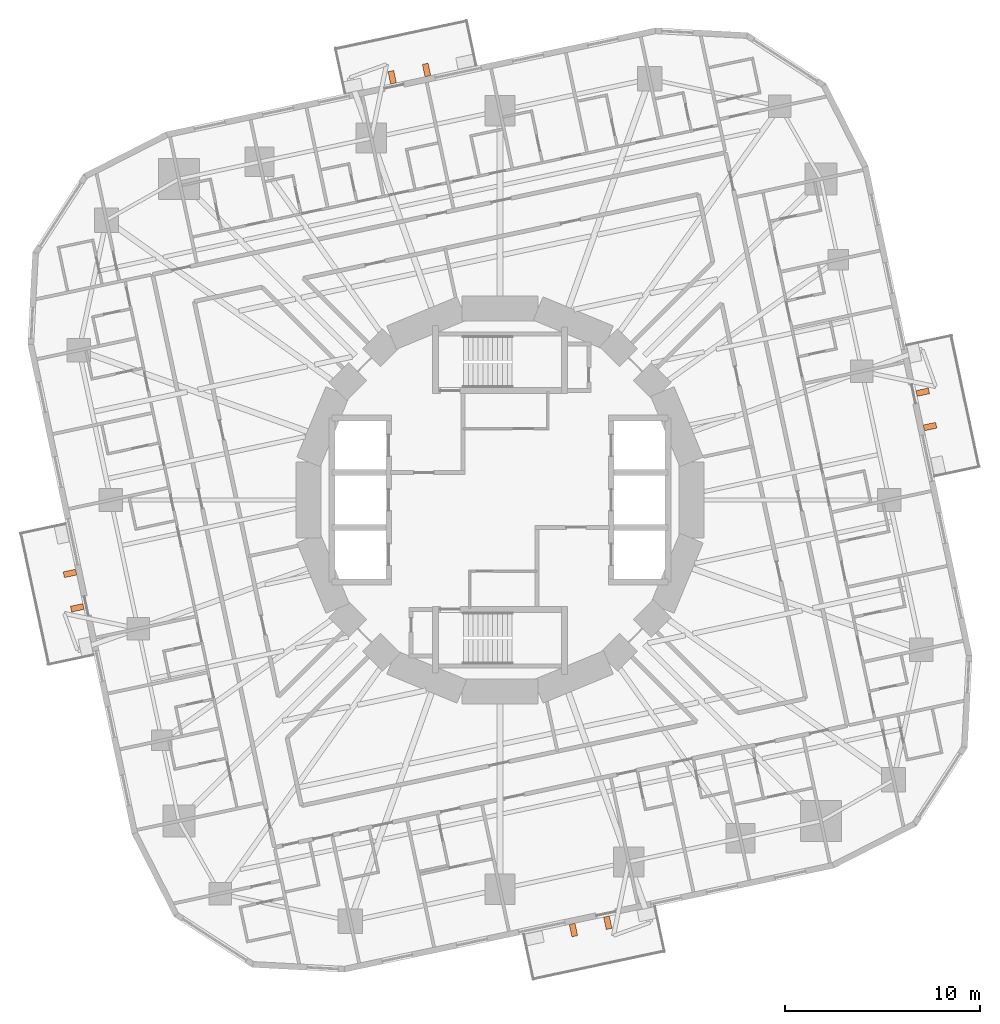
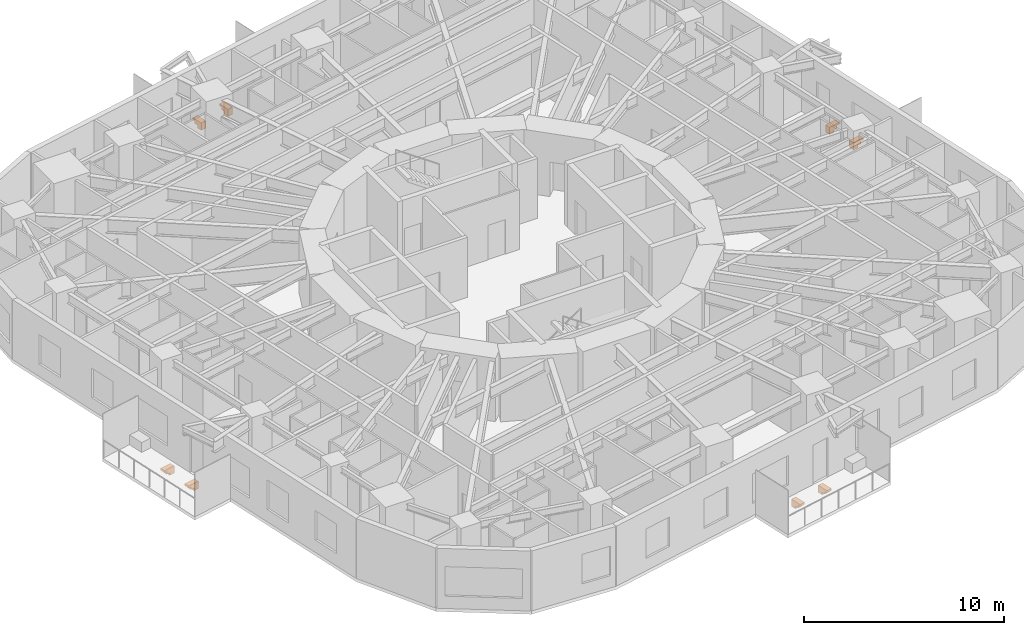
# One storey, part 14 of 14: 8 proxies.
"""IFC4 building model written with IfcOpenShell, lengths in metres."""

from ifc_helpers import new_model, si_unit, direction, frame, origin, place, context, subcontext, project, spatial, polyline, outline, extrude, material, type_object, element, save


model = new_model("IFC4")

# Units and contexts
model_context = context("Model", 3, precision=1e-05, world=origin(), true_north=direction((0.0, 1.0)))
body_context = subcontext(model_context, "Body", "Model", "MODEL_VIEW")
ifc_project = project(units=[si_unit("LENGTHUNIT", "METRE"), si_unit("AREAUNIT", "SQUARE_METRE"), si_unit("VOLUMEUNIT", "CUBIC_METRE"), si_unit("PLANEANGLEUNIT", "RADIAN"), si_unit("MASSUNIT", "GRAM", prefix="KILO")], contexts=[model_context])

# Site, building, storey
site_placement = place(None, origin())
site = spatial("IfcSite", under=ifc_project, at=site_placement, CompositionType="ELEMENT")
building_placement = place(site_placement, origin())
building = spatial("IfcBuilding", under=site, at=building_placement, Name="Nakasero Lantern House", CompositionType="ELEMENT")
storey_placement = place(building_placement, frame((0.0, 0.0, 112.699951171875)))
storey = spatial("IfcBuildingStorey", under=building, at=storey_placement, Name="L27", CompositionType="ELEMENT", Elevation=112.699951171875)

# Proxies
ifc_material = material(Name="Concrete C40/50 precast", Category="concrete")
building_element_proxy_type = type_object("IfcBuildingElementProxyType", Name="Balcony bracket 300", PredefinedType="USERDEFINED", material=ifc_material)
for number, where, z_axis, x_axis, name in (
    (1, (21.706298828125, 3.693603515625, -0.199951171875), (0.0, 0.0, 1.0), (0.978147601, 0.207911691, 0.0), "Balcony bracket L27 0A"),
    (2, (21.33203125, 5.454345703125, -0.199951171875), (0.0, 0.0, 1.0), (0.978147601, 0.207911691, 0.0), "Balcony bracket L27 0B"),
    (3, (-3.693603515625, 21.706298828125, -0.199951171875), (0.0, 0.0, 1.0), (-0.207911691, 0.978147601, 0.0), "Balcony bracket L27 1A"),
    (4, (-5.454345703125, 21.33203125, -0.199951171875), (0.0, 0.0, 1.0), (-0.207911691, 0.978147601, 0.0), "Balcony bracket L27 1B"),
    (5, (-21.706298828125, -3.693603515625, -0.199951171875), (0.0, 0.0, 1.0), (-0.978147601, -0.207911691, 0.0), "Balcony bracket L27 2A"),
    (6, (-21.33203125, -5.454345703125, -0.199951171875), (0.0, 0.0, 1.0), (-0.978147601, -0.207911691, 0.0), "Balcony bracket L27 2B"),
    (7, (3.693603515625, -21.706298828125, -0.199951171875), (0.0, 0.0, 1.0), (0.207911691, -0.978147601, 0.0), "Balcony bracket L27 3A"),
    (8, (5.454345703125, -21.33203125, -0.199951171875), (0.0, 0.0, 1.0), (0.207911691, -0.978147601, 0.0), "Balcony bracket L27 3B"),
):
    element("IfcBuildingElementProxy", number, at=place(storey_placement, frame(where, z_axis=z_axis, x_axis=x_axis)), inside=storey, type_object=building_element_proxy_type, Name=name, ObjectType="BALCONY BRACKET", PredefinedType="USERDEFINED", context=body_context, shape_type="SweptSolid", body=[
        extrude(outline(polyline([(0.0, 0.0), (0.64990234375, 0.0), (0.64990234375, -0.1201171875), (0.5, -0.1201171875), (0.5, -0.280029296875), (0.300048828125, -0.280029296875), (0.300048828125, -0.43994140625), (0.0, -0.43994140625), (0.0, 0.0)])), frame((0.0, 0.14990234375, 0.0), z_axis=(0.0, -1.0, 0.0), x_axis=(1.0, 0.0, 0.0)), (0.0, 0.0, 1.0), 0.300048828125),
    ])

save(model, "model.ifc")
